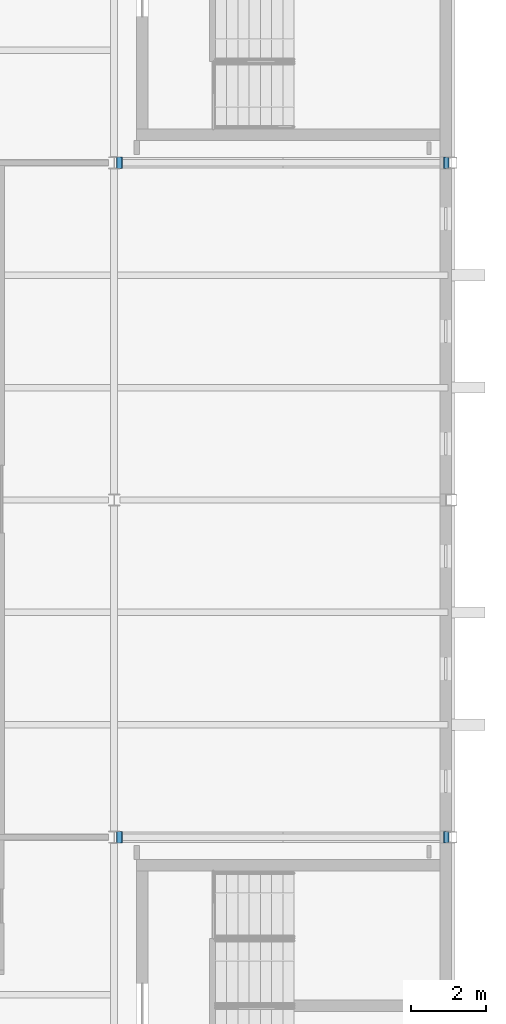
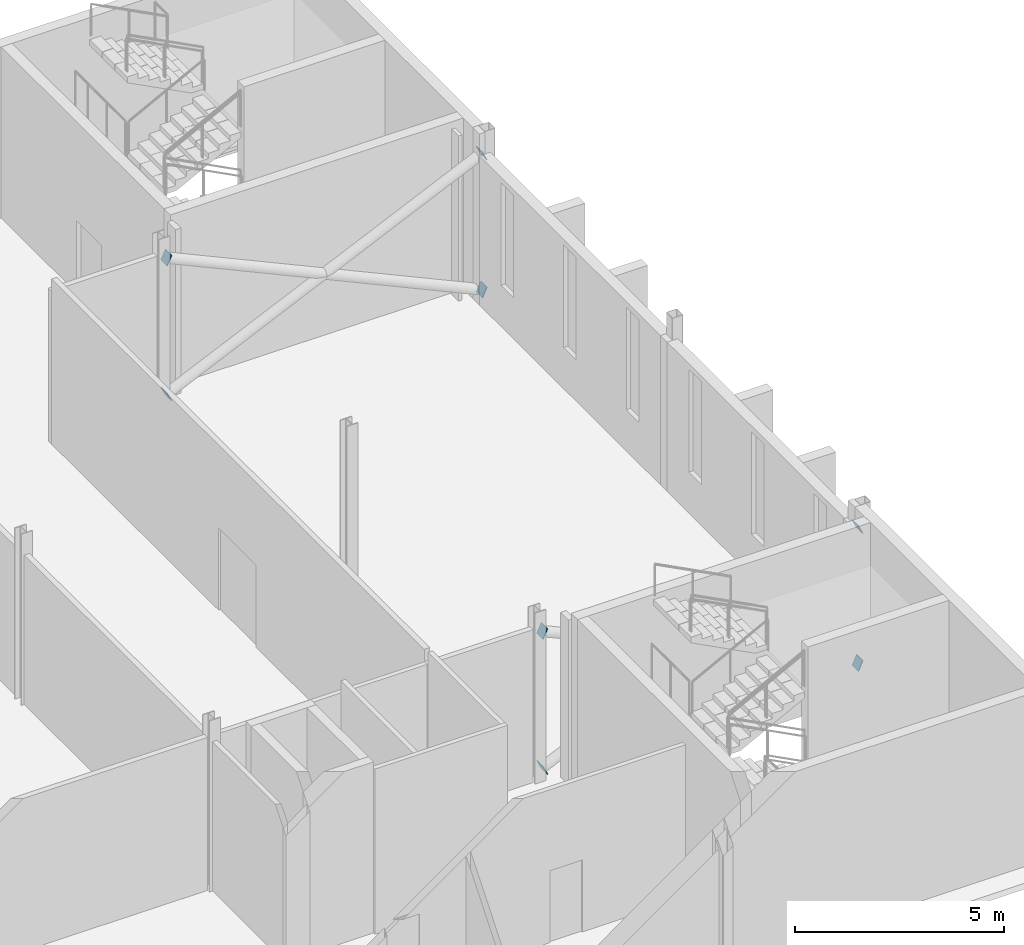
# One storey, part 104 of 112: 8 discrete accessories.
"""IFC4 building model written with IfcOpenShell, lengths in metres."""

from ifc_helpers import new_model, si_unit, direction, frame, origin, place, context, subcontext, project, spatial, polyline, outline, extrude, material, layer, layer_set, type_object, element, save


model = new_model("IFC4")

# Units and contexts
model_context = context("Model", 3, precision=1e-05, world=origin(), true_north=direction((0.0, 1.0)))
body_context = subcontext(model_context, "Body", "Model", "MODEL_VIEW")
ifc_project = project(units=[si_unit("LENGTHUNIT", "METRE"), si_unit("AREAUNIT", "SQUARE_METRE"), si_unit("VOLUMEUNIT", "CUBIC_METRE"), si_unit("PLANEANGLEUNIT", "RADIAN"), si_unit("MASSUNIT", "GRAM", prefix="KILO")], contexts=[model_context])

# Site, building, storey
site_placement = place(None, origin())
site = spatial("IfcSite", under=ifc_project, at=site_placement, CompositionType="ELEMENT")
building_placement = place(site_placement, origin())
building = spatial("IfcBuilding", under=site, at=building_placement, Name="Shorebreak Coast Museum", CompositionType="ELEMENT")
storey_placement = place(building_placement, frame((0.0, 0.0, 6.0)))
storey = spatial("IfcBuildingStorey", under=building, at=storey_placement, Name="L01", CompositionType="ELEMENT", Elevation=6.0)

# Discrete accessories
ifc_material = material(Name="Steel Grade 300", Category="steel")
ifc_layer = layer(ifc_material, 0.02490234375)
ifc_layer_set = layer_set([ifc_layer], Name="Steel Grade 300")
discrete_accessory_type = type_object("IfcDiscreteAccessoryType", Name="End plate 300 x 300 x 25", PredefinedType="BRACKET", material=ifc_layer_set)
discrete_accessory_1_placement = place(storey_placement, frame((162.216796875, 62.85009765625, 0.16357421875), z_axis=(0.909360103086, 0.0, 0.416009859156), x_axis=(0.0, 1.0, 0.0)))
element("IfcDiscreteAccessory", 1, at=discrete_accessory_1_placement, inside=storey, type_object=discrete_accessory_type, Name="End plate X-brace bay 07 L01 diagonal 1 end 1", PredefinedType="BRACKET", context=body_context, shape_type="SweptSolid", body=[
    extrude(outline(polyline([(0.0, 0.0), (0.2998046875, 0.0), (0.2998046875, 0.29988678544336883), (0.0, 0.29988678544336883), (0.0, 0.0)])), origin(), (0.0, 0.0, -1.0), 0.02490234375),
])
discrete_accessory_2_placement = place(storey_placement, frame((170.93505859375, 62.85009765625, 4.14892578125), z_axis=(0.909500839953, 0.0, 0.415702083378), x_axis=(0.0, 1.0, 0.0)))
element("IfcDiscreteAccessory", 2, at=discrete_accessory_2_placement, inside=storey, type_object=discrete_accessory_type, Name="End plate X-brace bay 07 L01 diagonal 1 end 2", PredefinedType="BRACKET", context=body_context, shape_type="SweptSolid", body=[
    extrude(outline(polyline([(0.0, 0.0), (0.2998046875, 0.0), (0.2998046875, 0.30010881437343706), (0.0, 0.30010881437343706), (0.0, 0.0)])), origin(), (0.0, 0.0, -1.0), 0.02490234375),
])
discrete_accessory_3_placement = place(storey_placement, frame((170.78759765625, 63.14990234375, 0.16357421875), z_axis=(-0.909360103086, 0.0, 0.416009859156), x_axis=(0.0, -1.0, 0.0)))
element("IfcDiscreteAccessory", 3, at=discrete_accessory_3_placement, inside=storey, type_object=discrete_accessory_type, Name="End plate X-brace bay 07 L01 diagonal 2 end 1", PredefinedType="BRACKET", context=body_context, shape_type="SweptSolid", body=[
    extrude(outline(polyline([(0.0, 0.0), (0.2998046875, 0.0), (0.2998046875, 0.29988678544336883), (0.0, 0.29988678544336883), (0.0, 0.0)])), origin(), (0.0, 0.0, -1.0), 0.02490234375),
])
discrete_accessory_4_placement = place(storey_placement, frame((162.0693359375, 63.14990234375, 4.14892578125), z_axis=(-0.909500839953, 0.0, 0.415702083378), x_axis=(0.0, -1.0, 0.0)))
element("IfcDiscreteAccessory", 4, at=discrete_accessory_4_placement, inside=storey, type_object=discrete_accessory_type, Name="End plate X-brace bay 07 L01 diagonal 2 end 2", PredefinedType="BRACKET", context=body_context, shape_type="SweptSolid", body=[
    extrude(outline(polyline([(0.0, 0.0), (0.2998046875, 0.0), (0.2998046875, 0.30010881437343706), (0.0, 0.30010881437343706), (0.0, 0.0)])), origin(), (0.0, 0.0, -1.0), 0.02490234375),
])
discrete_accessory_5_placement = place(storey_placement, frame((162.216796875, 80.85009765625, 0.16357421875), z_axis=(0.909360103086, 0.0, 0.416009859156), x_axis=(0.0, 1.0, 0.0)))
element("IfcDiscreteAccessory", 5, at=discrete_accessory_5_placement, inside=storey, type_object=discrete_accessory_type, Name="End plate X-brace bay 08 L01 diagonal 1 end 1", PredefinedType="BRACKET", context=body_context, shape_type="SweptSolid", body=[
    extrude(outline(polyline([(0.0, 0.0), (0.2998046875, 0.0), (0.2998046875, 0.29988678544336883), (0.0, 0.29988678544336883), (0.0, 0.0)])), origin(), (0.0, 0.0, -1.0), 0.02490234375),
])
discrete_accessory_6_placement = place(storey_placement, frame((170.93505859375, 80.85009765625, 4.14892578125), z_axis=(0.909500839953, 0.0, 0.415702083378), x_axis=(0.0, 1.0, 0.0)))
element("IfcDiscreteAccessory", 6, at=discrete_accessory_6_placement, inside=storey, type_object=discrete_accessory_type, Name="End plate X-brace bay 08 L01 diagonal 1 end 2", PredefinedType="BRACKET", context=body_context, shape_type="SweptSolid", body=[
    extrude(outline(polyline([(0.0, 0.0), (0.2998046875, 0.0), (0.2998046875, 0.30010881437343706), (0.0, 0.30010881437343706), (0.0, 0.0)])), origin(), (0.0, 0.0, -1.0), 0.02490234375),
])
discrete_accessory_7_placement = place(storey_placement, frame((170.78759765625, 81.14990234375, 0.16357421875), z_axis=(-0.909360103086, 0.0, 0.416009859156), x_axis=(0.0, -1.0, 0.0)))
element("IfcDiscreteAccessory", 7, at=discrete_accessory_7_placement, inside=storey, type_object=discrete_accessory_type, Name="End plate X-brace bay 08 L01 diagonal 2 end 1", PredefinedType="BRACKET", context=body_context, shape_type="SweptSolid", body=[
    extrude(outline(polyline([(0.0, 0.0), (0.2998046875, 0.0), (0.2998046875, 0.29988678544336883), (0.0, 0.29988678544336883), (0.0, 0.0)])), origin(), (0.0, 0.0, -1.0), 0.02490234375),
])
discrete_accessory_8_placement = place(storey_placement, frame((162.0693359375, 81.14990234375, 4.14892578125), z_axis=(-0.909500839953, 0.0, 0.415702083378), x_axis=(0.0, -1.0, 0.0)))
element("IfcDiscreteAccessory", 8, at=discrete_accessory_8_placement, inside=storey, type_object=discrete_accessory_type, Name="End plate X-brace bay 08 L01 diagonal 2 end 2", PredefinedType="BRACKET", context=body_context, shape_type="SweptSolid", body=[
    extrude(outline(polyline([(0.0, 0.0), (0.2998046875, 0.0), (0.2998046875, 0.30010881437343706), (0.0, 0.30010881437343706), (0.0, 0.0)])), origin(), (0.0, 0.0, -1.0), 0.02490234375),
])

save(model, "model.ifc")
